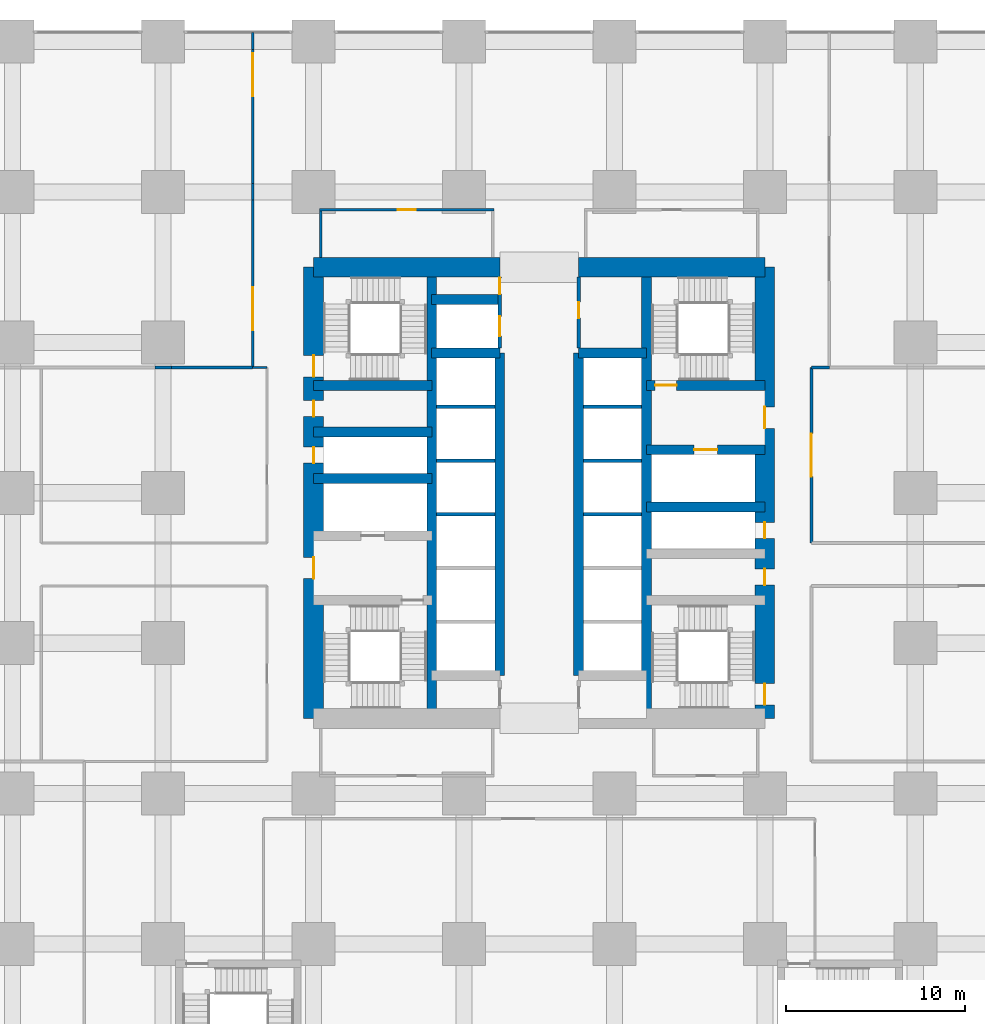
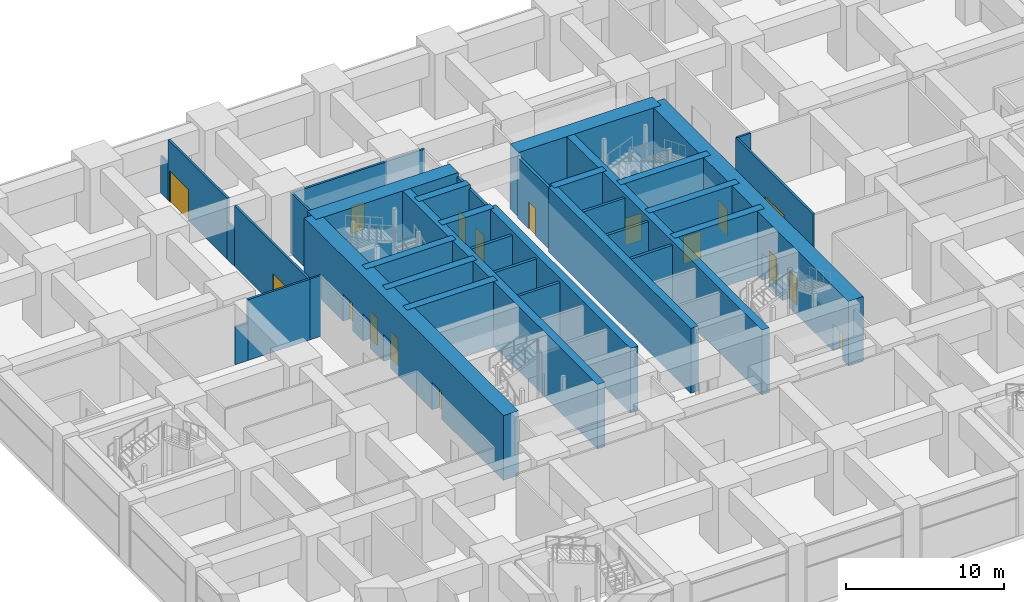
# One storey, part 38 of 49: 36 walls, 17 doors, 17 openings.
"""IFC4 building model written with IfcOpenShell, lengths in metres."""

from ifc_helpers import new_model, si_unit, direction, frame, frame_2d, origin, place, context, subcontext, project, spatial, rectangle, extrude, material, layer, layer_set, type_object, element, fill, save


model = new_model("IFC4")

# Units and contexts
model_context = context("Model", 3, precision=1e-05, world=origin(), true_north=direction((0.0, 1.0)))
body_context = subcontext(model_context, "Body", "Model", "MODEL_VIEW")
ifc_project = project(units=[si_unit("LENGTHUNIT", "METRE"), si_unit("AREAUNIT", "SQUARE_METRE"), si_unit("VOLUMEUNIT", "CUBIC_METRE"), si_unit("PLANEANGLEUNIT", "RADIAN"), si_unit("MASSUNIT", "GRAM", prefix="KILO")], contexts=[model_context])

# Site, building, storey
site_placement = place(None, origin())
site = spatial("IfcSite", under=ifc_project, at=site_placement, CompositionType="ELEMENT")
building_placement = place(site_placement, origin())
building = spatial("IfcBuilding", under=site, at=building_placement, Name="Rekha Terrace Tower", CompositionType="ELEMENT")
storey_placement = place(building_placement, frame((0.0, 0.0, 5.39990234375)))
storey = spatial("IfcBuildingStorey", under=building, at=storey_placement, Name="L01", CompositionType="ELEMENT", Elevation=5.39990234375)

# Walls
ifc_material_1 = material(Name="Concrete M70", Category="concrete")
ifc_layer_1 = layer(ifc_material_1, 0.550048828125)
ifc_layer_set_1 = layer_set([ifc_layer_1], Name="Concrete M70")
wall_type_1 = type_object("IfcWallType", Name="CI1 550 core internal shear wall", PredefinedType="SHEAR", material=ifc_layer_set_1)
for number, where, z_axis, x_axis, name in (
    (1, (31.800048828125, 21.0, 0.0), (0.0, 0.0, 1.0), (0.0, 1.0, 0.0), "Core wall X318 L01"),
    (2, (43.800048828125, 21.0, 0.0), (0.0, 0.0, 1.0), (0.0, 1.0, 0.0), "Core wall X438 L01"),
):
    element("IfcWall", number, at=place(storey_placement, frame(where, z_axis=z_axis, x_axis=x_axis)), inside=storey, type_object=wall_type_1, Name=name, PredefinedType="SHEAR", context=body_context, shape_type="SweptSolid", body=[
        extrude(rectangle(XDim=25.199951171875, YDim=0.550048828125, at=frame_2d((12.60009765625, 0.0))), origin(), (0.0, 0.0, 1.0), 5.0),
    ])
for number, where, z_axis, x_axis, name in (
    (3, (35.60009765625, 23.39990234375, 0.0), (0.0, 0.0, 1.0), (0.0, 1.0, 0.0), "Core wall X356 L01"),
    (4, (40.0, 23.39990234375, 0.0), (0.0, 0.0, 1.0), (0.0, 1.0, 0.0), "Core wall X400 L01"),
):
    element("IfcWall", number, at=place(storey_placement, frame(where, z_axis=z_axis, x_axis=x_axis)), inside=storey, type_object=wall_type_1, Name=name, PredefinedType="SHEAR", context=body_context, shape_type="SweptSolid", body=[
        extrude(rectangle(XDim=18.0, YDim=0.550048828125, at=frame_2d((9.0, 0.0))), origin(), (0.0, 0.0, 1.0), 5.0),
    ])
for number, where, z_axis, x_axis, name in (
    (5, (31.800048828125, 41.39990234375, 0.0), (0.0, 0.0, 1.0), (1.0, 0.0, 0.0), "Core wall Y414W L01"),
    (6, (31.800048828125, 44.39990234375, 0.0), (0.0, 0.0, 1.0), (1.0, 0.0, 0.0), "Core wall Y444W L01"),
    (7, (40.0, 41.39990234375, 0.0), (0.0, 0.0, 1.0), (1.0, 0.0, 0.0), "Core wall Y414E L01"),
):
    element("IfcWall", number, at=place(storey_placement, frame(where, z_axis=z_axis, x_axis=x_axis)), inside=storey, type_object=wall_type_1, Name=name, PredefinedType="SHEAR", context=body_context, shape_type="SweptSolid", body=[
        extrude(rectangle(XDim=3.800048828125, YDim=0.550048828125, at=frame_2d((1.89990234375, 0.0))), origin(), (0.0, 0.0, 1.0), 5.0),
    ])
for number, where, z_axis, x_axis, name in (
    (8, (25.199951171875, 34.39990234375, 0.0), (0.0, 0.0, 1.0), (1.0, 0.0, 0.0), "Core wall Y344W L01"),
    (9, (25.199951171875, 37.0, 0.0), (0.0, 0.0, 1.0), (1.0, 0.0, 0.0), "Core wall Y370W L01"),
    (10, (25.199951171875, 39.60009765625, 0.0), (0.0, 0.0, 1.0), (1.0, 0.0, 0.0), "Core wall Y396W L01"),
):
    element("IfcWall", number, at=place(storey_placement, frame(where, z_axis=z_axis, x_axis=x_axis)), inside=storey, type_object=wall_type_1, Name=name, PredefinedType="SHEAR", context=body_context, shape_type="SweptSolid", body=[
        extrude(rectangle(XDim=6.60009765625, YDim=0.550048828125, at=frame_2d((3.300048828125, 0.0))), origin(), (0.0, 0.0, 1.0), 5.0),
    ])
wall_1_placement = place(storey_placement, frame((43.800048828125, 32.800048828125, 0.0), z_axis=(0.0, 0.0, 1.0), x_axis=(1.0, 0.0, 0.0)))
element("IfcWall", 11, at=wall_1_placement, inside=storey, type_object=wall_type_1, Name="Core wall Y328E L01", PredefinedType="SHEAR", context=body_context, shape_type="SweptSolid", body=[
    extrude(rectangle(XDim=6.599853515625, YDim=0.550048828125, at=frame_2d((3.2998046875, 0.0))), origin(), (0.0, 0.0, 1.0), 5.0),
])

# Wall, opening, door
wall_2_placement = place(storey_placement, frame((43.800048828125, 36.0, 0.0), z_axis=(0.0, 0.0, 1.0), x_axis=(1.0, 0.0, 0.0)))
wall_2 = element("IfcWall", 12, at=wall_2_placement, inside=storey, type_object=wall_type_1, Name="Core wall Y360E L01", PredefinedType="SHEAR", context=body_context, shape_type="SweptSolid", body=[
    extrude(rectangle(XDim=6.599853515625, YDim=0.550048828125, at=frame_2d((3.2998046875, 0.0))), origin(), (0.0, 0.0, 1.0), 5.0),
])
opening_1_placement = place(wall_2_placement, frame((2.64990234375, 0.0, 0.0)))
opening_1 = element("IfcOpeningElement", 13, at=opening_1_placement, cuts=wall_2, Name="Opening LD2", PredefinedType="OPENING", context=body_context, shape_type="SweptSolid", body=[
    extrude(rectangle(XDim=1.300048828125, YDim=2.10009765625, at=frame_2d((0.64990234375, 1.050048828125))), frame((0.0, 0.284912109375, 0.0), z_axis=(0.0, -1.0, 0.0), x_axis=(1.0, 0.0, 0.0)), (0.0, 0.0, 1.0), 0.570068359375),
])
ifc_material_2 = material(Name="Stainless steel sliding landing door", Category="steel")
door_type_1 = type_object("IfcDoorType", Name="LD2 1300x2100 fire lift landing door", OperationType="SLIDING_TO_LEFT", PredefinedType="USERDEFINED", material=ifc_material_2)
door_1_placement = place(opening_1_placement, origin())
door_1 = element("IfcDoor", 14, at=door_1_placement, inside=storey, type_object=door_type_1, Name="Lift FL2 landing door L01", ObjectType="LIFT LANDING DOOR", OperationType="SLIDING_TO_LEFT", OverallHeight=2.10009765625, OverallWidth=1.300048828125, PredefinedType="USERDEFINED", context=body_context, shape_type="SweptSolid", body=[
    extrude(rectangle(XDim=1.300048828125, YDim=2.10009765625, at=frame_2d((0.64990234375, 1.050048828125))), frame((0.0, 0.02490234375, 0.0), z_axis=(0.0, -1.0, 0.0), x_axis=(1.0, 0.0, 0.0)), (0.0, 0.0, 1.0), 0.050048828125),
])
fill(opening_1, door_1)

wall_3_placement = place(storey_placement, frame((43.800048828125, 39.60009765625, 0.0), z_axis=(0.0, 0.0, 1.0), x_axis=(1.0, 0.0, 0.0)))
wall_3 = element("IfcWall", 15, at=wall_3_placement, inside=storey, type_object=wall_type_1, Name="Core wall Y396E L01", PredefinedType="SHEAR", context=body_context, shape_type="SweptSolid", body=[
    extrude(rectangle(XDim=6.599853515625, YDim=0.550048828125, at=frame_2d((3.2998046875, 0.0))), origin(), (0.0, 0.0, 1.0), 5.0),
])
opening_2_placement = place(wall_3_placement, frame((0.47509765625, 0.0, 0.0)))
opening_2 = element("IfcOpeningElement", 16, at=opening_2_placement, cuts=wall_3, Name="Opening D1", PredefinedType="OPENING", context=body_context, shape_type="SweptSolid", body=[
    extrude(rectangle(XDim=1.199951171875, YDim=2.10009765625, at=frame_2d((0.60009765625, 1.050048828125))), frame((0.0, 0.284912109375, 0.0), z_axis=(0.0, -1.0, 0.0), x_axis=(1.0, 0.0, 0.0)), (0.0, 0.0, 1.0), 0.570068359375),
])
ifc_material_3 = material(Name="Steel fire door", Category="steel")
door_type_2 = type_object("IfcDoorType", Name="D1 1200x2100 stair fire door", OperationType="SINGLE_SWING_RIGHT", PredefinedType="DOOR", material=ifc_material_3)
door_2_placement = place(opening_2_placement, origin())
door_2 = element("IfcDoor", 17, at=door_2_placement, inside=storey, type_object=door_type_2, Name="Stair ST2 door L01", OperationType="SINGLE_SWING_RIGHT", OverallHeight=2.10009765625, OverallWidth=1.199951171875, PredefinedType="DOOR", context=body_context, shape_type="SweptSolid", body=[
    extrude(rectangle(XDim=1.199951171875, YDim=2.10009765625, at=frame_2d((0.60009765625, 1.050048828125))), frame((0.0, 0.02490234375, 0.0), z_axis=(0.0, -1.0, 0.0), x_axis=(1.0, 0.0, 0.0)), (0.0, 0.0, 1.0), 0.050048828125),
])
fill(opening_2, door_2)

# Walls
ifc_layer_2 = layer(ifc_material_1, 1.10009765625)
ifc_layer_set_2 = layer_set([ifc_layer_2], Name="Concrete M70")
wall_type_2 = type_object("IfcWallType", Name="SW1 1100 core outer shear wall", PredefinedType="SHEAR", material=ifc_layer_set_2)
wall_4_placement = place(storey_placement, frame((25.199951171875, 46.199951171875, 0.0), z_axis=(0.0, 0.0, 1.0), x_axis=(1.0, 0.0, 0.0)))
element("IfcWall", 18, at=wall_4_placement, inside=storey, type_object=wall_type_2, Name="Core wall N1 L01", PredefinedType="SHEAR", context=body_context, shape_type="SweptSolid", body=[
    extrude(rectangle(XDim=10.400146484375, YDim=1.10009765625, at=frame_2d((5.2001953125, 0.0))), origin(), (0.0, 0.0, 1.0), 5.0),
])
wall_5_placement = place(storey_placement, frame((40.0, 46.199951171875, 0.0), z_axis=(0.0, 0.0, 1.0), x_axis=(1.0, 0.0, 0.0)))
element("IfcWall", 19, at=wall_5_placement, inside=storey, type_object=wall_type_2, Name="Core wall N2 L01", PredefinedType="SHEAR", context=body_context, shape_type="SweptSolid", body=[
    extrude(rectangle(XDim=10.39990234375, YDim=1.10009765625, at=frame_2d((5.199951171875, 0.0))), origin(), (0.0, 0.0, 1.0), 5.0),
])

# Wall, openings, doors
wall_6_placement = place(storey_placement, frame((25.199951171875, 21.0, 0.0), z_axis=(0.0, 0.0, 1.0), x_axis=(0.0, 1.0, 0.0)))
wall_6 = element("IfcWall", 20, at=wall_6_placement, inside=storey, type_object=wall_type_2, Name="Core wall W L01", PredefinedType="SHEAR", context=body_context, shape_type="SweptSolid", body=[
    extrude(rectangle(XDim=25.199951171875, YDim=1.10009765625, at=frame_2d((12.60009765625, 0.0))), origin(), (0.0, 0.0, 1.0), 5.0),
])
opening_3_placement = place(wall_6_placement, frame((7.800048828125, 0.0, 0.0)))
opening_3 = element("IfcOpeningElement", 21, at=opening_3_placement, cuts=wall_6, Name="Opening D2", PredefinedType="OPENING", context=body_context, shape_type="SweptSolid", body=[
    extrude(rectangle(XDim=1.199951171875, YDim=2.10009765625, at=frame_2d((0.60009765625, 1.050048828125))), frame((0.0, 0.56005859375, 0.0), z_axis=(0.0, -1.0, 0.0), x_axis=(1.0, 0.0, 0.0)), (0.0, 0.0, 1.0), 1.1201171875),
])
opening_4_placement = place(wall_6_placement, frame((14.25, 0.0, 0.0)))
opening_4 = element("IfcOpeningElement", 22, at=opening_4_placement, cuts=wall_6, Name="Opening D5", PredefinedType="OPENING", context=body_context, shape_type="SweptSolid", body=[
    extrude(rectangle(XDim=0.89990234375, YDim=2.10009765625, at=frame_2d((0.449951171875, 1.050048828125))), frame((0.0, 0.56005859375, 0.0), z_axis=(0.0, -1.0, 0.0), x_axis=(1.0, 0.0, 0.0)), (0.0, 0.0, 1.0), 1.1201171875),
])
opening_5_placement = place(wall_6_placement, frame((16.85009765625, 0.0, 0.0)))
opening_5 = element("IfcOpeningElement", 23, at=opening_5_placement, cuts=wall_6, Name="Opening D5", PredefinedType="OPENING", context=body_context, shape_type="SweptSolid", body=[
    extrude(rectangle(XDim=0.89990234375, YDim=2.10009765625, at=frame_2d((0.449951171875, 1.050048828125))), frame((0.0, 0.56005859375, 0.0), z_axis=(0.0, -1.0, 0.0), x_axis=(1.0, 0.0, 0.0)), (0.0, 0.0, 1.0), 1.1201171875),
])
opening_6_placement = place(wall_6_placement, frame((19.074951171875, 0.0, 0.0)))
opening_6 = element("IfcOpeningElement", 24, at=opening_6_placement, cuts=wall_6, Name="Opening D1", PredefinedType="OPENING", context=body_context, shape_type="SweptSolid", body=[
    extrude(rectangle(XDim=1.199951171875, YDim=2.10009765625, at=frame_2d((0.60009765625, 1.050048828125))), frame((0.0, 0.56005859375, 0.0), z_axis=(0.0, -1.0, 0.0), x_axis=(1.0, 0.0, 0.0)), (0.0, 0.0, 1.0), 1.1201171875),
])
door_3_placement = place(opening_6_placement, origin())
door_3 = element("IfcDoor", 25, at=door_3_placement, inside=storey, type_object=door_type_2, Name="Stair ST4 door L01", OperationType="SINGLE_SWING_RIGHT", OverallHeight=2.10009765625, OverallWidth=1.199951171875, PredefinedType="DOOR", context=body_context, shape_type="SweptSolid", body=[
    extrude(rectangle(XDim=1.199951171875, YDim=2.10009765625, at=frame_2d((0.60009765625, 1.050048828125))), frame((0.0, 0.02490234375, 0.0), z_axis=(0.0, -1.0, 0.0), x_axis=(1.0, 0.0, 0.0)), (0.0, 0.0, 1.0), 0.050048828125),
])
fill(opening_6, door_3)
door_type_3 = type_object("IfcDoorType", Name="D2 1200x2100 firefighting lobby door", OperationType="SINGLE_SWING_LEFT", PredefinedType="DOOR", material=ifc_material_3)
door_4_placement = place(opening_3_placement, origin())
door_4 = element("IfcDoor", 26, at=door_4_placement, inside=storey, type_object=door_type_3, Name="Door flb1 L01", OperationType="SINGLE_SWING_LEFT", OverallHeight=2.10009765625, OverallWidth=1.199951171875, PredefinedType="DOOR", context=body_context, shape_type="SweptSolid", body=[
    extrude(rectangle(XDim=1.199951171875, YDim=2.10009765625, at=frame_2d((0.60009765625, 1.050048828125))), frame((0.0, 0.02490234375, 0.0), z_axis=(0.0, -1.0, 0.0), x_axis=(1.0, 0.0, 0.0)), (0.0, 0.0, 1.0), 0.050048828125),
])
fill(opening_3, door_4)
door_type_4 = type_object("IfcDoorType", Name="D5 900x2100 riser access door", OperationType="SINGLE_SWING_LEFT", PredefinedType="DOOR", material=ifc_material_3)
door_5_placement = place(opening_4_placement, origin())
door_5 = element("IfcDoor", 27, at=door_5_placement, inside=storey, type_object=door_type_4, Name="Door rs1 L01", OperationType="SINGLE_SWING_LEFT", OverallHeight=2.10009765625, OverallWidth=0.89990234375, PredefinedType="DOOR", context=body_context, shape_type="SweptSolid", body=[
    extrude(rectangle(XDim=0.89990234375, YDim=2.10009765625, at=frame_2d((0.449951171875, 1.050048828125))), frame((0.0, 0.02490234375, 0.0), z_axis=(0.0, -1.0, 0.0), x_axis=(1.0, 0.0, 0.0)), (0.0, 0.0, 1.0), 0.050048828125),
])
fill(opening_4, door_5)
door_6_placement = place(opening_5_placement, origin())
door_6 = element("IfcDoor", 28, at=door_6_placement, inside=storey, type_object=door_type_4, Name="Door elw L01", OperationType="SINGLE_SWING_LEFT", OverallHeight=2.10009765625, OverallWidth=0.89990234375, PredefinedType="DOOR", context=body_context, shape_type="SweptSolid", body=[
    extrude(rectangle(XDim=0.89990234375, YDim=2.10009765625, at=frame_2d((0.449951171875, 1.050048828125))), frame((0.0, 0.02490234375, 0.0), z_axis=(0.0, -1.0, 0.0), x_axis=(1.0, 0.0, 0.0)), (0.0, 0.0, 1.0), 0.050048828125),
])
fill(opening_5, door_6)

wall_7_placement = place(storey_placement, frame((50.39990234375, 21.0, 0.0), z_axis=(0.0, 0.0, 1.0), x_axis=(0.0, 1.0, 0.0)))
wall_7 = element("IfcWall", 29, at=wall_7_placement, inside=storey, type_object=wall_type_2, Name="Core wall E L01", PredefinedType="SHEAR", context=body_context, shape_type="SweptSolid", body=[
    extrude(rectangle(XDim=25.199951171875, YDim=1.10009765625, at=frame_2d((12.60009765625, 0.0))), origin(), (0.0, 0.0, 1.0), 5.0),
])
opening_7_placement = place(wall_7_placement, frame((16.199951171875, 0.0, 0.0)))
opening_7 = element("IfcOpeningElement", 30, at=opening_7_placement, cuts=wall_7, Name="Opening D2", PredefinedType="OPENING", context=body_context, shape_type="SweptSolid", body=[
    extrude(rectangle(XDim=1.199951171875, YDim=2.10009765625, at=frame_2d((0.60009765625, 1.050048828125))), frame((0.0, 0.56005859375, 0.0), z_axis=(0.0, -1.0, 0.0), x_axis=(1.0, 0.0, 0.0)), (0.0, 0.0, 1.0), 1.1201171875),
])
opening_8_placement = place(wall_7_placement, frame((10.050048828125, 0.0, 0.0)))
opening_8 = element("IfcOpeningElement", 31, at=opening_8_placement, cuts=wall_7, Name="Opening D5", PredefinedType="OPENING", context=body_context, shape_type="SweptSolid", body=[
    extrude(rectangle(XDim=0.89990234375, YDim=2.10009765625, at=frame_2d((0.449951171875, 1.050048828125))), frame((0.0, 0.56005859375, 0.0), z_axis=(0.0, -1.0, 0.0), x_axis=(1.0, 0.0, 0.0)), (0.0, 0.0, 1.0), 1.1201171875),
])
opening_9_placement = place(wall_7_placement, frame((7.449951171875, 0.0, 0.0)))
opening_9 = element("IfcOpeningElement", 32, at=opening_9_placement, cuts=wall_7, Name="Opening D5", PredefinedType="OPENING", context=body_context, shape_type="SweptSolid", body=[
    extrude(rectangle(XDim=0.89990234375, YDim=2.10009765625, at=frame_2d((0.449951171875, 1.050048828125))), frame((0.0, 0.56005859375, 0.0), z_axis=(0.0, -1.0, 0.0), x_axis=(1.0, 0.0, 0.0)), (0.0, 0.0, 1.0), 1.1201171875),
])
opening_10_placement = place(wall_7_placement, frame((0.75, 0.0, 0.0)))
opening_10 = element("IfcOpeningElement", 33, at=opening_10_placement, cuts=wall_7, Name="Opening D1", PredefinedType="OPENING", context=body_context, shape_type="SweptSolid", body=[
    extrude(rectangle(XDim=1.199951171875, YDim=2.10009765625, at=frame_2d((0.60009765625, 1.050048828125))), frame((0.0, 0.56005859375, 0.0), z_axis=(0.0, -1.0, 0.0), x_axis=(1.0, 0.0, 0.0)), (0.0, 0.0, 1.0), 1.1201171875),
])
door_7_placement = place(opening_10_placement, origin())
door_7 = element("IfcDoor", 34, at=door_7_placement, inside=storey, type_object=door_type_2, Name="Stair ST3 door L01", OperationType="SINGLE_SWING_RIGHT", OverallHeight=2.10009765625, OverallWidth=1.199951171875, PredefinedType="DOOR", context=body_context, shape_type="SweptSolid", body=[
    extrude(rectangle(XDim=1.199951171875, YDim=2.10009765625, at=frame_2d((0.60009765625, 1.050048828125))), frame((0.0, 0.02490234375, 0.0), z_axis=(0.0, -1.0, 0.0), x_axis=(1.0, 0.0, 0.0)), (0.0, 0.0, 1.0), 0.050048828125),
])
fill(opening_10, door_7)
door_8_placement = place(opening_7_placement, origin())
door_8 = element("IfcDoor", 35, at=door_8_placement, inside=storey, type_object=door_type_3, Name="Door flb2 L01", OperationType="SINGLE_SWING_LEFT", OverallHeight=2.10009765625, OverallWidth=1.199951171875, PredefinedType="DOOR", context=body_context, shape_type="SweptSolid", body=[
    extrude(rectangle(XDim=1.199951171875, YDim=2.10009765625, at=frame_2d((0.60009765625, 1.050048828125))), frame((0.0, 0.02490234375, 0.0), z_axis=(0.0, -1.0, 0.0), x_axis=(1.0, 0.0, 0.0)), (0.0, 0.0, 1.0), 0.050048828125),
])
fill(opening_7, door_8)
door_9_placement = place(opening_8_placement, origin())
door_9 = element("IfcDoor", 36, at=door_9_placement, inside=storey, type_object=door_type_4, Name="Door rs2 L01", OperationType="SINGLE_SWING_LEFT", OverallHeight=2.10009765625, OverallWidth=0.89990234375, PredefinedType="DOOR", context=body_context, shape_type="SweptSolid", body=[
    extrude(rectangle(XDim=0.89990234375, YDim=2.10009765625, at=frame_2d((0.449951171875, 1.050048828125))), frame((0.0, 0.02490234375, 0.0), z_axis=(0.0, -1.0, 0.0), x_axis=(1.0, 0.0, 0.0)), (0.0, 0.0, 1.0), 0.050048828125),
])
fill(opening_8, door_9)
door_10_placement = place(opening_9_placement, origin())
door_10 = element("IfcDoor", 37, at=door_10_placement, inside=storey, type_object=door_type_4, Name="Door ele L01", OperationType="SINGLE_SWING_LEFT", OverallHeight=2.10009765625, OverallWidth=0.89990234375, PredefinedType="DOOR", context=body_context, shape_type="SweptSolid", body=[
    extrude(rectangle(XDim=0.89990234375, YDim=2.10009765625, at=frame_2d((0.449951171875, 1.050048828125))), frame((0.0, 0.02490234375, 0.0), z_axis=(0.0, -1.0, 0.0), x_axis=(1.0, 0.0, 0.0)), (0.0, 0.0, 1.0), 0.050048828125),
])
fill(opening_9, door_10)

# Wall, opening, door
ifc_material_4 = material(Name="Concrete block masonry, 1 hour", Category="masonry")
ifc_layer_3 = layer(ifc_material_4, 0.14990234375)
ifc_layer_set_3 = layer_set([ifc_layer_3], Name="Concrete block masonry, 1 hour")
wall_type_3 = type_object("IfcWallType", Name="WP2 150 tenancy partition", PredefinedType="PARTITIONING", material=ifc_layer_set_3)
wall_8_placement = place(storey_placement, frame((25.52490234375, 49.39990234375, 0.0), z_axis=(0.0, 0.0, 1.0), x_axis=(1.0, 0.0, 0.0)))
wall_8 = element("IfcWall", 38, at=wall_8_placement, inside=storey, type_object=wall_type_3, Name="Women's WC wall L01", PredefinedType="PARTITIONING", context=body_context, shape_type="SweptSolid", body=[
    extrude(rectangle(XDim=9.75, YDim=0.14990234375, at=frame_2d((4.875, 0.0))), origin(), (0.0, 0.0, 1.0), 4.7001953125),
])
opening_11_placement = place(wall_8_placement, frame((4.375, 0.0, 0.0)))
opening_11 = element("IfcOpeningElement", 39, at=opening_11_placement, cuts=wall_8, Name="Opening D3", PredefinedType="OPENING", context=body_context, shape_type="SweptSolid", body=[
    extrude(rectangle(XDim=1.0, YDim=2.10009765625, at=frame_2d((0.5, 1.050048828125))), frame((0.0, 0.0849609375, 0.0), z_axis=(0.0, -1.0, 0.0), x_axis=(1.0, 0.0, 0.0)), (0.0, 0.0, 1.0), 0.169921875),
])
ifc_material_5 = material(Name="Laminated timber fire door", Category="wood")
door_type_5 = type_object("IfcDoorType", Name="D3 1000x2100 WC door", OperationType="SINGLE_SWING_LEFT", PredefinedType="DOOR", material=ifc_material_5)
door_11_placement = place(opening_11_placement, origin())
door_11 = element("IfcDoor", 40, at=door_11_placement, inside=storey, type_object=door_type_5, Name="Door women's wc L01", OperationType="SINGLE_SWING_LEFT", OverallHeight=2.10009765625, OverallWidth=1.0, PredefinedType="DOOR", context=body_context, shape_type="SweptSolid", body=[
    extrude(rectangle(XDim=1.0, YDim=2.10009765625, at=frame_2d((0.5, 1.050048828125))), frame((0.0, 0.02490234375, 0.0), z_axis=(0.0, -1.0, 0.0), x_axis=(1.0, 0.0, 0.0)), (0.0, 0.0, 1.0), 0.050048828125),
])
fill(opening_11, door_11)

# Walls
wall_9_placement = place(storey_placement, frame((25.60009765625, 46.75, 0.0), z_axis=(0.0, 0.0, 1.0), x_axis=(0.0, 1.0, 0.0)))
element("IfcWall", 41, at=wall_9_placement, inside=storey, type_object=wall_type_3, Name="Women's WC wall L01", PredefinedType="PARTITIONING", context=body_context, shape_type="SweptSolid", body=[
    extrude(rectangle(XDim=2.574951171875, YDim=0.14990234375, at=frame_2d((1.28759765625, 0.0))), origin(), (0.0, 0.0, 1.0), 4.7001953125),
])
wall_10_placement = place(storey_placement, frame((21.800048828125, 59.2900390625, 0.0), z_axis=(0.0, 0.0, 1.0), x_axis=(0.0, -1.0, 0.0)))
element("IfcWall", 42, at=wall_10_placement, inside=storey, type_object=wall_type_3, Name="Partition L01-03", PredefinedType="PARTITIONING", context=body_context, shape_type="SweptSolid", body=[
    extrude(rectangle(XDim=0.949951171875, YDim=0.14990234375, at=frame_2d((0.47509765625, 0.0))), origin(), (0.0, 0.0, 1.0), 2.900146484375),
])

# Wall, opening, door
wall_11_placement = place(storey_placement, frame((21.800048828125, 58.340087890625, 0.0), z_axis=(0.0, 0.0, 1.0), x_axis=(0.0, -1.0, 0.0)))
wall_11 = element("IfcWall", 43, at=wall_11_placement, inside=storey, type_object=wall_type_3, Name="Partition L01-03", PredefinedType="PARTITIONING", context=body_context, shape_type="SweptSolid", body=[
    extrude(rectangle(XDim=7.47998046875, YDim=0.14990234375, at=frame_2d((3.739990234375, 0.0))), origin(), (0.0, 0.0, 1.0), 4.7001953125),
])
opening_12_placement = place(wall_11_placement, frame((0.205078125, 0.0, 0.0)))
opening_12 = element("IfcOpeningElement", 44, at=opening_12_placement, cuts=wall_11, Name="Opening D7", PredefinedType="OPENING", context=body_context, shape_type="SweptSolid", body=[
    extrude(rectangle(XDim=2.39990234375, YDim=2.39990234375, at=frame_2d((1.199951171875, 1.199951171875))), frame((0.0, 0.0849609375, 0.0), z_axis=(0.0, -1.0, 0.0), x_axis=(1.0, 0.0, 0.0)), (0.0, 0.0, 1.0), 0.169921875),
])
ifc_material_6 = material(Name="Glazed aluminium door", Category="aluminium")
door_type_6 = type_object("IfcDoorType", Name="D7 2400x2400 shopfront double door", OperationType="DOUBLE_DOOR_SINGLE_SWING", PredefinedType="DOOR", material=ifc_material_6)
door_12_placement = place(opening_12_placement, origin())
door_12 = element("IfcDoor", 45, at=door_12_placement, inside=storey, type_object=door_type_6, Name="Door retail unit 5 L01", OperationType="DOUBLE_DOOR_SINGLE_SWING", OverallHeight=2.39990234375, OverallWidth=2.39990234375, PredefinedType="DOOR", context=body_context, shape_type="SweptSolid", body=[
    extrude(rectangle(XDim=2.39990234375, YDim=2.39990234375, at=frame_2d((1.199951171875, 1.199951171875))), frame((0.0, 0.02490234375, 0.0), z_axis=(0.0, -1.0, 0.0), x_axis=(1.0, 0.0, 0.0)), (0.0, 0.0, 1.0), 0.050048828125),
])
fill(opening_12, door_12)

# Wall
wall_12_placement = place(storey_placement, frame((21.800048828125, 50.860107421875, 0.0), z_axis=(0.0, 0.0, 1.0), x_axis=(0.0, -1.0, 0.0)))
element("IfcWall", 46, at=wall_12_placement, inside=storey, type_object=wall_type_3, Name="Partition L01-03", PredefinedType="PARTITIONING", context=body_context, shape_type="SweptSolid", body=[
    extrude(rectangle(XDim=0.920166015625, YDim=0.14990234375, at=frame_2d((0.4599609375, 0.0))), origin(), (0.0, 0.0, 1.0), 2.900146484375),
])

# Wall, opening, door
wall_13_placement = place(storey_placement, frame((21.800048828125, 49.93994140625, 0.0), z_axis=(0.0, 0.0, 1.0), x_axis=(0.0, -1.0, 0.0)))
wall_13 = element("IfcWall", 47, at=wall_13_placement, inside=storey, type_object=wall_type_3, Name="Partition L01-03", PredefinedType="PARTITIONING", context=body_context, shape_type="SweptSolid", body=[
    extrude(rectangle(XDim=9.33984375, YDim=0.14990234375, at=frame_2d((4.669921875, 0.0))), origin(), (0.0, 0.0, 1.0), 4.7001953125),
])
opening_13_placement = place(wall_13_placement, frame((4.875, 0.0, 0.0)))
opening_13 = element("IfcOpeningElement", 48, at=opening_13_placement, cuts=wall_13, Name="Opening D7", PredefinedType="OPENING", context=body_context, shape_type="SweptSolid", body=[
    extrude(rectangle(XDim=2.39990234375, YDim=2.39990234375, at=frame_2d((1.199951171875, 1.199951171875))), frame((0.0, 0.0849609375, 0.0), z_axis=(0.0, -1.0, 0.0), x_axis=(1.0, 0.0, 0.0)), (0.0, 0.0, 1.0), 0.169921875),
])
door_13_placement = place(opening_13_placement, origin())
door_13 = element("IfcDoor", 49, at=door_13_placement, inside=storey, type_object=door_type_6, Name="Door retail unit 5 L01", OperationType="DOUBLE_DOOR_SINGLE_SWING", OverallHeight=2.39990234375, OverallWidth=2.39990234375, PredefinedType="DOOR", context=body_context, shape_type="SweptSolid", body=[
    extrude(rectangle(XDim=2.39990234375, YDim=2.39990234375, at=frame_2d((1.199951171875, 1.199951171875))), frame((0.0, 0.02490234375, 0.0), z_axis=(0.0, -1.0, 0.0), x_axis=(1.0, 0.0, 0.0)), (0.0, 0.0, 1.0), 0.050048828125),
])
fill(opening_13, door_13)

# Walls
wall_14_placement = place(storey_placement, frame((21.800048828125, 40.60009765625, 0.0), z_axis=(0.0, 0.0, 1.0), x_axis=(-1.0, 0.0, 0.0)))
element("IfcWall", 50, at=wall_14_placement, inside=storey, type_object=wall_type_3, Name="Partition L01-03", PredefinedType="PARTITIONING", context=body_context, shape_type="SweptSolid", body=[
    extrude(rectangle(XDim=4.5400390625, YDim=0.14990234375, at=frame_2d((2.27001953125, 0.0))), origin(), (0.0, 0.0, 1.0), 4.7001953125),
])
wall_15_placement = place(storey_placement, frame((17.260009765625, 40.60009765625, 0.0), z_axis=(0.0, 0.0, 1.0), x_axis=(-1.0, 0.0, 0.0)))
element("IfcWall", 51, at=wall_15_placement, inside=storey, type_object=wall_type_3, Name="Partition L01-03", PredefinedType="PARTITIONING", context=body_context, shape_type="SweptSolid", body=[
    extrude(rectangle(XDim=0.919921875, YDim=0.14990234375, at=frame_2d((0.4599609375, 0.0))), origin(), (0.0, 0.0, 1.0), 2.900146484375),
])

# Wall, opening, door
wall_16_placement = place(storey_placement, frame((53.0, 30.800048828125, 0.0), z_axis=(0.0, 0.0, 1.0), x_axis=(0.0, 1.0, 0.0)))
wall_16 = element("IfcWall", 52, at=wall_16_placement, inside=storey, type_object=wall_type_3, Name="Partition L01-10", PredefinedType="PARTITIONING", context=body_context, shape_type="SweptSolid", body=[
    extrude(rectangle(XDim=9.800048828125, YDim=0.14990234375, at=frame_2d((4.89990234375, 0.0))), origin(), (0.0, 0.0, 1.0), 4.7001953125),
])
opening_14_placement = place(wall_16_placement, frame((3.699951171875, 0.0, 0.0)))
opening_14 = element("IfcOpeningElement", 53, at=opening_14_placement, cuts=wall_16, Name="Opening D7", PredefinedType="OPENING", context=body_context, shape_type="SweptSolid", body=[
    extrude(rectangle(XDim=2.39990234375, YDim=2.39990234375, at=frame_2d((1.199951171875, 1.199951171875))), frame((0.0, 0.0849609375, 0.0), z_axis=(0.0, -1.0, 0.0), x_axis=(1.0, 0.0, 0.0)), (0.0, 0.0, 1.0), 0.169921875),
])
door_14_placement = place(opening_14_placement, origin())
door_14 = element("IfcDoor", 54, at=door_14_placement, inside=storey, type_object=door_type_6, Name="Door retail kiosk 2 L01", OperationType="DOUBLE_DOOR_SINGLE_SWING", OverallHeight=2.39990234375, OverallWidth=2.39990234375, PredefinedType="DOOR", context=body_context, shape_type="SweptSolid", body=[
    extrude(rectangle(XDim=2.39990234375, YDim=2.39990234375, at=frame_2d((1.199951171875, 1.199951171875))), frame((0.0, 0.02490234375, 0.0), z_axis=(0.0, -1.0, 0.0), x_axis=(1.0, 0.0, 0.0)), (0.0, 0.0, 1.0), 0.050048828125),
])
fill(opening_14, door_14)

# Walls
wall_17_placement = place(storey_placement, frame((53.0, 40.60009765625, 0.0), z_axis=(0.0, 0.0, 1.0), x_axis=(1.0, 0.0, 0.0)))
element("IfcWall", 55, at=wall_17_placement, inside=storey, type_object=wall_type_3, Name="Partition L01-10", PredefinedType="PARTITIONING", context=body_context, shape_type="SweptSolid", body=[
    extrude(rectangle(XDim=1.0, YDim=0.14990234375, at=frame_2d((0.5, 0.0))), origin(), (0.0, 0.0, 1.0), 4.7001953125),
])
ifc_material_7 = material(Name="Two layers of fire-rated gypsum board each side on steel studs, acoustic quilt, 1 hour", Category="steel")
ifc_layer_4 = layer(ifc_material_7, 0.125)
ifc_layer_set_4 = layer_set([ifc_layer_4], Name="Two layers of fire-rated gypsum board each side on steel studs, acoustic quilt, 1 hour")
wall_type_4 = type_object("IfcWallType", Name="WP3 125 office partition", PredefinedType="PARTITIONING", material=ifc_layer_set_4)
wall_18_placement = place(storey_placement, frame((21.800048828125, 40.60009765625, 0.0), z_axis=(0.0, 0.0, 1.0), x_axis=(1.0, 0.0, 0.0)))
element("IfcWall", 56, at=wall_18_placement, inside=storey, type_object=wall_type_4, Name="Partition L01-08", PredefinedType="PARTITIONING", context=body_context, shape_type="SweptSolid", body=[
    extrude(rectangle(XDim=0.800048828125, YDim=0.125, at=frame_2d((0.39990234375, 0.0))), origin(), (0.0, 0.0, 1.0), 4.7001953125),
])
ifc_material_8 = material(Name="Solid concrete block masonry, 2 hour", Category="masonry")
ifc_layer_5 = layer(ifc_material_8, 0.199951171875)
ifc_layer_set_5 = layer_set([ifc_layer_5], Name="Solid concrete block masonry, 2 hour")
wall_type_5 = type_object("IfcWallType", Name="WS1 200 stair and shaft enclosure", PredefinedType="PARTITIONING", material=ifc_layer_set_5)
for number, where, z_axis, x_axis, name in (
    (57, (32.074951171875, 32.39990234375, 0.0), (0.0, 0.0, 1.0), (1.0, 0.0, 0.0), "Lift shaft divider L01"),
    (58, (32.074951171875, 35.39990234375, 0.0), (0.0, 0.0, 1.0), (1.0, 0.0, 0.0), "Lift shaft divider L01"),
    (59, (32.074951171875, 38.39990234375, 0.0), (0.0, 0.0, 1.0), (1.0, 0.0, 0.0), "Lift shaft divider L01"),
    (60, (40.27490234375, 32.39990234375, 0.0), (0.0, 0.0, 1.0), (1.0, 0.0, 0.0), "Lift shaft divider L01"),
    (61, (40.27490234375, 35.39990234375, 0.0), (0.0, 0.0, 1.0), (1.0, 0.0, 0.0), "Lift shaft divider L01"),
    (62, (40.27490234375, 38.39990234375, 0.0), (0.0, 0.0, 1.0), (1.0, 0.0, 0.0), "Lift shaft divider L01"),
):
    element("IfcWall", number, at=place(storey_placement, frame(where, z_axis=z_axis, x_axis=x_axis)), inside=storey, type_object=wall_type_5, Name=name, PredefinedType="PARTITIONING", context=body_context, shape_type="SweptSolid", body=[
        extrude(rectangle(XDim=3.25, YDim=0.199951171875, at=frame_2d((1.625, 0.0))), origin(), (0.0, 0.0, 1.0), 4.7001953125),
    ])

# Wall, opening, door
wall_19_placement = place(storey_placement, frame((40.0, 41.675048828125, 0.0), z_axis=(0.0, 0.0, 1.0), x_axis=(0.0, 1.0, 0.0)))
wall_19 = element("IfcWall", 63, at=wall_19_placement, inside=storey, type_object=wall_type_5, Name="Core partition elec L01", PredefinedType="PARTITIONING", context=body_context, shape_type="SweptSolid", body=[
    extrude(rectangle(XDim=3.974853515625, YDim=0.199951171875, at=frame_2d((1.9873046875, 0.0))), origin(), (0.0, 0.0, 1.0), 4.7001953125),
])
opening_15_placement = place(wall_19_placement, frame((1.675048828125, 0.0, 0.0)))
opening_15 = element("IfcOpeningElement", 64, at=opening_15_placement, cuts=wall_19, Name="Opening D5", PredefinedType="OPENING", context=body_context, shape_type="SweptSolid", body=[
    extrude(rectangle(XDim=0.89990234375, YDim=2.10009765625, at=frame_2d((0.449951171875, 1.050048828125))), frame((0.0, 0.10986328125, 0.0), z_axis=(0.0, -1.0, 0.0), x_axis=(1.0, 0.0, 0.0)), (0.0, 0.0, 1.0), 0.219970703125),
])
door_15_placement = place(opening_15_placement, origin())
door_15 = element("IfcDoor", 65, at=door_15_placement, inside=storey, type_object=door_type_4, Name="Door electrical room L01", OperationType="SINGLE_SWING_LEFT", OverallHeight=2.10009765625, OverallWidth=0.89990234375, PredefinedType="DOOR", context=body_context, shape_type="SweptSolid", body=[
    extrude(rectangle(XDim=0.89990234375, YDim=2.10009765625, at=frame_2d((0.449951171875, 1.050048828125))), frame((0.0, 0.02490234375, 0.0), z_axis=(0.0, -1.0, 0.0), x_axis=(1.0, 0.0, 0.0)), (0.0, 0.0, 1.0), 0.050048828125),
])
fill(opening_15, door_15)

# Wall, openings, doors
wall_20_placement = place(storey_placement, frame((35.60009765625, 41.675048828125, 0.0), z_axis=(0.0, 0.0, 1.0), x_axis=(0.0, 1.0, 0.0)))
wall_20 = element("IfcWall", 66, at=wall_20_placement, inside=storey, type_object=wall_type_5, Name="Core partition jansv L01", PredefinedType="PARTITIONING", context=body_context, shape_type="SweptSolid", body=[
    extrude(rectangle(XDim=3.974853515625, YDim=0.199951171875, at=frame_2d((1.9873046875, 0.0))), origin(), (0.0, 0.0, 1.0), 4.7001953125),
])
opening_16_placement = place(wall_20_placement, frame((3.02490234375, 0.0, 0.0)))
opening_16 = element("IfcOpeningElement", 67, at=opening_16_placement, cuts=wall_20, Name="Opening D5", PredefinedType="OPENING", context=body_context, shape_type="SweptSolid", body=[
    extrude(rectangle(XDim=0.89990234375, YDim=2.10009765625, at=frame_2d((0.449951171875, 1.050048828125))), frame((0.0, 0.10986328125, 0.0), z_axis=(0.0, -1.0, 0.0), x_axis=(1.0, 0.0, 0.0)), (0.0, 0.0, 1.0), 0.219970703125),
])
opening_17_placement = place(wall_20_placement, frame((0.675048828125, 0.0, 0.0)))
opening_17 = element("IfcOpeningElement", 68, at=opening_17_placement, cuts=wall_20, Name="Opening LD1", PredefinedType="OPENING", context=body_context, shape_type="SweptSolid", body=[
    extrude(rectangle(XDim=1.10009765625, YDim=2.10009765625, at=frame_2d((0.550048828125, 1.050048828125))), frame((0.0, 0.10986328125, 0.0), z_axis=(0.0, -1.0, 0.0), x_axis=(1.0, 0.0, 0.0)), (0.0, 0.0, 1.0), 0.219970703125),
])
door_16_placement = place(opening_16_placement, origin())
door_16 = element("IfcDoor", 69, at=door_16_placement, inside=storey, type_object=door_type_4, Name="Door janitor room L01", OperationType="SINGLE_SWING_LEFT", OverallHeight=2.10009765625, OverallWidth=0.89990234375, PredefinedType="DOOR", context=body_context, shape_type="SweptSolid", body=[
    extrude(rectangle(XDim=0.89990234375, YDim=2.10009765625, at=frame_2d((0.449951171875, 1.050048828125))), frame((0.0, 0.02490234375, 0.0), z_axis=(0.0, -1.0, 0.0), x_axis=(1.0, 0.0, 0.0)), (0.0, 0.0, 1.0), 0.050048828125),
])
fill(opening_16, door_16)
door_type_7 = type_object("IfcDoorType", Name="LD1 1100x2100 lift landing door", OperationType="SLIDING_TO_LEFT", PredefinedType="USERDEFINED", material=ifc_material_2)
door_17_placement = place(opening_17_placement, origin())
door_17 = element("IfcDoor", 70, at=door_17_placement, inside=storey, type_object=door_type_7, Name="Lift SV1 landing door L01", ObjectType="LIFT LANDING DOOR", OperationType="SLIDING_TO_LEFT", OverallHeight=2.10009765625, OverallWidth=1.10009765625, PredefinedType="USERDEFINED", context=body_context, shape_type="SweptSolid", body=[
    extrude(rectangle(XDim=1.10009765625, YDim=2.10009765625, at=frame_2d((0.550048828125, 1.050048828125))), frame((0.0, 0.02490234375, 0.0), z_axis=(0.0, -1.0, 0.0), x_axis=(1.0, 0.0, 0.0)), (0.0, 0.0, 1.0), 0.050048828125),
])
fill(opening_17, door_17)

save(model, "model.ifc")
